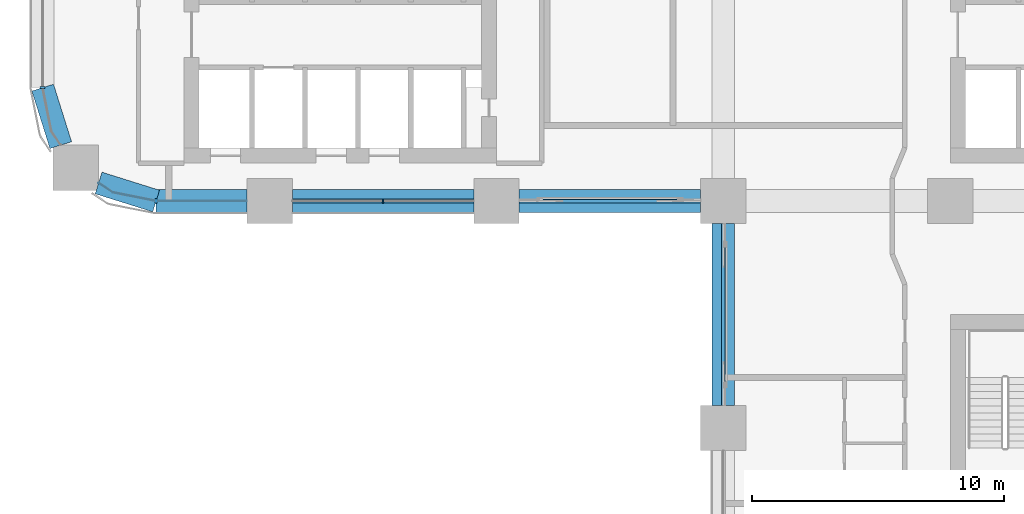
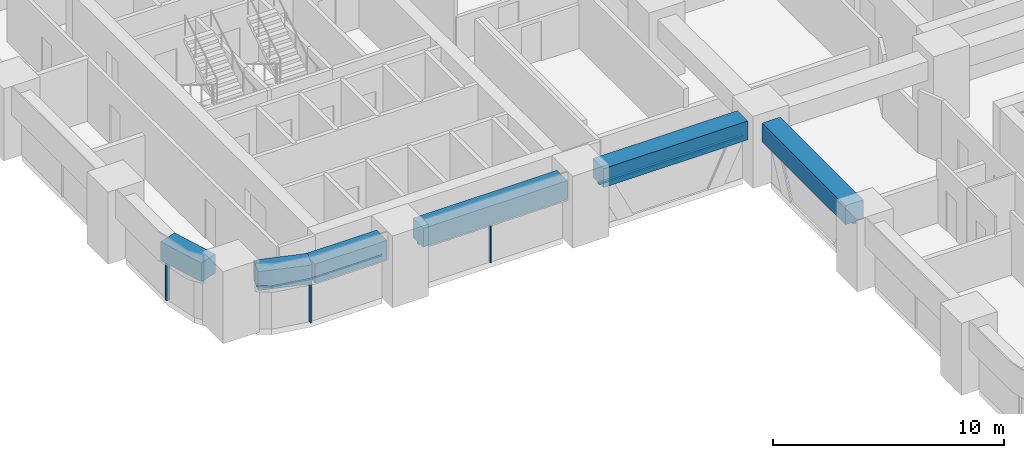
# One storey, part 3 of 20: 7 members, 6 beams, 5 elements without a shape of their own.
"""IFC4 building model written with IfcOpenShell, lengths in metres."""

from ifc_helpers import new_model, si_unit, direction, frame, origin, origin_2d, place, context, subcontext, project, spatial, polyline, rectangle, outline, extrude, material, material_profile, profile_set, type_object, element, aggregate, save


model = new_model("IFC4")

# Units and contexts
model_context = context("Model", 3, precision=1e-05, world=origin(), true_north=direction((0.0, 1.0)))
body_context = subcontext(model_context, "Body", "Model", "MODEL_VIEW")
ifc_project = project(units=[si_unit("LENGTHUNIT", "METRE"), si_unit("AREAUNIT", "SQUARE_METRE"), si_unit("VOLUMEUNIT", "CUBIC_METRE"), si_unit("PLANEANGLEUNIT", "RADIAN"), si_unit("MASSUNIT", "GRAM", prefix="KILO")], contexts=[model_context])

# Site, building, storey
site_placement = place(None, origin())
site = spatial("IfcSite", under=ifc_project, at=site_placement, CompositionType="ELEMENT")
building_placement = place(site_placement, origin())
building = spatial("IfcBuilding", under=site, at=building_placement, Name="Tessera Arch", CompositionType="ELEMENT")
storey_placement = place(building_placement, frame((0.0, 0.0, 119.60009765625)))
storey = spatial("IfcBuildingStorey", under=building, at=storey_placement, Name="L28", CompositionType="ELEMENT", Elevation=119.60009765625)

# Curtain wall, members
ifc_material_1 = material(Name="CW1 curtain wall")
curtain_wall_type_1 = type_object("IfcCurtainWallType", Name="CW1 curtain wall", PredefinedType="NOTDEFINED", material=ifc_material_1)
curtain_wall_1_placement = place(storey_placement, origin())
curtain_wall_1 = element("IfcCurtainWall", 1, at=curtain_wall_1_placement, inside=storey, type_object=curtain_wall_type_1, Name="CW1 curtain wall S27.0/1 L28", PredefinedType="NOTDEFINED")
ifc_material_2 = material(Name="Anodised aluminium pale metal", Category="aluminium")
ifc_material_profile_1 = material_profile(ifc_material_2, rectangle(XDim=0.159912109375, YDim=0.06005859375, at=origin_2d()), Name="AL 60x160")
ifc_profile_set_1 = profile_set([ifc_material_profile_1], Name="Anodised aluminium pale metal")
member_type_1 = type_object("IfcMemberType", Name="CW1 mullion", PredefinedType="MULLION", material=ifc_profile_set_1)
member_1_placement = place(storey_placement, frame((13.5, 27.0, 0.0), z_axis=(0.0, 0.0, 1.0), x_axis=(0.0, 1.0, 0.0)))
member_1 = element("IfcMember", 2, at=member_1_placement, type_object=member_type_1, Name="CW1 mullion S27.0/1 1", PredefinedType="MULLION", context=body_context, shape_type="SweptSolid", body=[
    extrude(rectangle(XDim=0.159912109375, YDim=0.06005859375, at=origin_2d()), origin(), (0.0, 0.0, 1.0), 2.199951171875),
])
ifc_material_3 = material(Name="Anodised aluminium pale metal", Category="aluminium")
ifc_material_profile_2 = material_profile(ifc_material_3, rectangle(XDim=0.159912109375, YDim=0.10009765625, at=origin_2d()), Name="AL 160x100")
ifc_profile_set_2 = profile_set([ifc_material_profile_2], Name="Anodised aluminium pale metal")
member_type_2 = type_object("IfcMemberType", Name="CW1 transom", PredefinedType="USERDEFINED", material=ifc_profile_set_2)
member_2_placement = place(storey_placement, frame((9.89990234375, 27.0, 2.25), z_axis=(1.0, 0.0, 0.0), x_axis=(0.0, 1.0, 0.0)))
member_2 = element("IfcMember", 3, at=member_2_placement, type_object=member_type_2, Name="CW1 transom S27.0/1 1.1", ObjectType="TRANSOM", PredefinedType="USERDEFINED", context=body_context, shape_type="SweptSolid", body=[
    extrude(rectangle(XDim=0.159912109375, YDim=0.10009765625, at=origin_2d()), origin(), (0.0, 0.0, 1.0), 7.2001953125),
])
aggregate(curtain_wall_1, [member_1, member_2])

# Curtain wall, member
ifc_material_4 = material(Name="CW2 curtain wall")
curtain_wall_type_2 = type_object("IfcCurtainWallType", Name="CW2 curtain wall", PredefinedType="NOTDEFINED", material=ifc_material_4)
curtain_wall_2_placement = place(storey_placement, origin())
curtain_wall_2 = element("IfcCurtainWall", 4, at=curtain_wall_2_placement, inside=storey, type_object=curtain_wall_type_2, Name="CW2 curtain wall W0.27/2 L28", PredefinedType="NOTDEFINED")
ifc_material_5 = material(Name="Anodised aluminium pale metal", Category="aluminium")
ifc_material_profile_3 = material_profile(ifc_material_5, rectangle(XDim=0.199951171875, YDim=0.080078125, at=origin_2d()), Name="AL 80x200")
ifc_profile_set_3 = profile_set([ifc_material_profile_3], Name="Anodised aluminium pale metal")
member_type_3 = type_object("IfcMemberType", Name="CW2 mullion", PredefinedType="MULLION", material=ifc_profile_set_3)
member_3_placement = place(storey_placement, frame((0.0, 31.5, 0.0), z_axis=(0.0, 0.0, 1.0), x_axis=(1.0, 0.0, 0.0)))
member_3 = element("IfcMember", 5, at=member_3_placement, type_object=member_type_3, Name="CW2 mullion W0.27/2 1", PredefinedType="MULLION", context=body_context, shape_type="SweptSolid", body=[
    extrude(rectangle(XDim=0.199951171875, YDim=0.080078125, at=origin_2d()), origin(), (0.0, 0.0, 1.0), 2.199951171875),
])
aggregate(curtain_wall_2, [member_3])

# Curtain wall, members
curtain_wall_3_placement = place(storey_placement, origin())
curtain_wall_3 = element("IfcCurtainWall", 6, at=curtain_wall_3_placement, inside=storey, type_object=curtain_wall_type_2, Name="CW2 curtain wall S27.0/0 L28", PredefinedType="NOTDEFINED")
member_4_placement = place(storey_placement, frame((4.5, 27.0, 0.0), z_axis=(0.0, 0.0, 1.0), x_axis=(0.0, 1.0, 0.0)))
member_4 = element("IfcMember", 7, at=member_4_placement, type_object=member_type_3, Name="CW2 mullion S27.0/0 1", PredefinedType="MULLION", context=body_context, shape_type="SweptSolid", body=[
    extrude(rectangle(XDim=0.199951171875, YDim=0.080078125, at=origin_2d()), origin(), (0.0, 0.0, 1.0), 2.199951171875),
])
ifc_material_6 = material(Name="Anodised aluminium pale metal", Category="aluminium")
ifc_material_profile_4 = material_profile(ifc_material_6, rectangle(XDim=0.199951171875, YDim=0.10009765625, at=origin_2d()), Name="AL 200x100")
ifc_profile_set_4 = profile_set([ifc_material_profile_4], Name="Anodised aluminium pale metal")
member_type_4 = type_object("IfcMemberType", Name="CW2 transom", PredefinedType="USERDEFINED", material=ifc_profile_set_4)
member_5_placement = place(storey_placement, frame((0.0, 0.0, 2.199951171875)))
member_5 = element("IfcMember", 8, at=member_5_placement, type_object=member_type_4, Name="CW2 transom S27.0/0 1", ObjectType="TRANSOM", PredefinedType="USERDEFINED", context=body_context, shape_type="SweptSolid", body=[
    extrude(outline(polyline([(2.78173828125, 27.351806640625), (2.2236328125, 27.72509765625), (2.21240234375, 27.70849609375), (2.77392578125, 27.3330078125), (4.4990234375, 26.989990234375), (8.10009765625, 26.989990234375), (8.10009765625, 27.010009765625), (4.5009765625, 27.010009765625), (2.78173828125, 27.351806640625)])), origin(), (0.0, 0.0, 1.0), 0.099853515625),
])
aggregate(curtain_wall_3, [member_4, member_5])

# Curtain wall, member
ifc_material_7 = material(Name="CW3 curtain wall")
curtain_wall_type_3 = type_object("IfcCurtainWallType", Name="CW3 curtain wall", PredefinedType="NOTDEFINED", material=ifc_material_7)
curtain_wall_4_placement = place(storey_placement, origin())
curtain_wall_4 = element("IfcCurtainWall", 9, at=curtain_wall_4_placement, inside=storey, type_object=curtain_wall_type_3, Name="CW3 curtain wall S27.0/2 L28", PredefinedType="NOTDEFINED")
ifc_material_8 = material(Name="Anodised aluminium pale metal", Category="aluminium")
ifc_material_profile_5 = material_profile(ifc_material_8, rectangle(XDim=0.139892578125, YDim=0.10009765625, at=origin_2d()), Name="AL 140x100")
ifc_profile_set_5 = profile_set([ifc_material_profile_5], Name="Anodised aluminium pale metal")
member_type_5 = type_object("IfcMemberType", Name="CW3 transom", PredefinedType="USERDEFINED", material=ifc_profile_set_5)
member_6_placement = place(storey_placement, frame((18.89990234375, 27.0, 2.25), z_axis=(1.0, 0.0, 0.0), x_axis=(0.0, 1.0, 0.0)))
member_6 = element("IfcMember", 10, at=member_6_placement, type_object=member_type_5, Name="CW3 transom S27.0/2 1.1", ObjectType="TRANSOM", PredefinedType="USERDEFINED", context=body_context, shape_type="SweptSolid", body=[
    extrude(rectangle(XDim=0.139892578125, YDim=0.10009765625, at=origin_2d()), origin(), (0.0, 0.0, 1.0), 7.2001953125),
])
aggregate(curtain_wall_4, [member_6])

curtain_wall_5_placement = place(storey_placement, origin())
curtain_wall_5 = element("IfcCurtainWall", 11, at=curtain_wall_5_placement, inside=storey, type_object=curtain_wall_type_3, Name="CW3 curtain wall W27.0/0 L28", PredefinedType="NOTDEFINED")
member_7_placement = place(storey_placement, frame((27.0, 26.10009765625, 2.25), z_axis=(0.0, -1.0, 0.0), x_axis=(1.0, 0.0, 0.0)))
member_7 = element("IfcMember", 12, at=member_7_placement, type_object=member_type_5, Name="CW3 transom W27.0/0 1.1", ObjectType="TRANSOM", PredefinedType="USERDEFINED", context=body_context, shape_type="SweptSolid", body=[
    extrude(rectangle(XDim=0.139892578125, YDim=0.10009765625, at=origin_2d()), origin(), (0.0, 0.0, 1.0), 7.2001953125),
])
aggregate(curtain_wall_5, [member_7])

# Beams
ifc_material_9 = material(Name="Concrete C80/95", Category="concrete")
ifc_material_profile_6 = material_profile(ifc_material_9, rectangle(XDim=0.89990234375, YDim=1.0, at=origin_2d()), Name="RC spandrel beam 900 x 1000 Concrete C80/95")
ifc_profile_set_6 = profile_set([ifc_material_profile_6], Name="Concrete C80/95")
beam_type = type_object("IfcBeamType", Name="RC spandrel beam 900 x 1000 Concrete C80/95", PredefinedType="BEAM", material=ifc_profile_set_6)
for number, where, z_axis, x_axis, name in (
    (13, (0.0, 31.5, 2.7998046875), (0.299675309057, -0.954041251279, 0.0), (0.954041251279, 0.299675309057, 0.0), "Spandrel beam L28 W0.27/2.2"),
    (14, (2.218017578125, 27.716796875, 2.7998046875), (0.954041251279, -0.299675309057, 0.0), (0.299675309057, 0.954041251279, 0.0), "Spandrel beam L28 S27.0/0.1"),
):
    element("IfcBeam", number, at=place(storey_placement, frame(where, z_axis=z_axis, x_axis=x_axis)), inside=storey, type_object=beam_type, Name=name, PredefinedType="BEAM", context=body_context, shape_type="SweptSolid", body=[
        extrude(rectangle(XDim=0.89990234375, YDim=1.0, at=origin_2d()), origin(), (0.0, 0.0, 1.0), 2.391845703125),
    ])
beam_placement = place(storey_placement, frame((4.5, 27.0, 2.7998046875), z_axis=(1.0, 0.0, 0.0), x_axis=(0.0, 1.0, 0.0)))
element("IfcBeam", 15, at=beam_placement, inside=storey, type_object=beam_type, Name="Spandrel beam L28 S27.0/0.2", PredefinedType="BEAM", context=body_context, shape_type="SweptSolid", body=[
    extrude(rectangle(XDim=0.89990234375, YDim=1.0, at=origin_2d()), origin(), (0.0, 0.0, 1.0), 3.60009765625),
])
for number, where, z_axis, x_axis, name in (
    (16, (9.89990234375, 27.0, 2.7998046875), (1.0, 0.0, 0.0), (0.0, 1.0, 0.0), "Spandrel beam L28 S27.0/1"),
    (17, (18.89990234375, 27.0, 2.7998046875), (1.0, 0.0, 0.0), (0.0, 1.0, 0.0), "Spandrel beam L28 S27.0/2"),
    (18, (27.0, 26.10009765625, 2.7998046875), (0.0, -1.0, 0.0), (1.0, 0.0, 0.0), "Spandrel beam L28 W27.0/0"),
):
    element("IfcBeam", number, at=place(storey_placement, frame(where, z_axis=z_axis, x_axis=x_axis)), inside=storey, type_object=beam_type, Name=name, PredefinedType="BEAM", context=body_context, shape_type="SweptSolid", body=[
        extrude(rectangle(XDim=0.89990234375, YDim=1.0, at=origin_2d()), origin(), (0.0, 0.0, 1.0), 7.2001953125),
    ])

save(model, "model.ifc")
